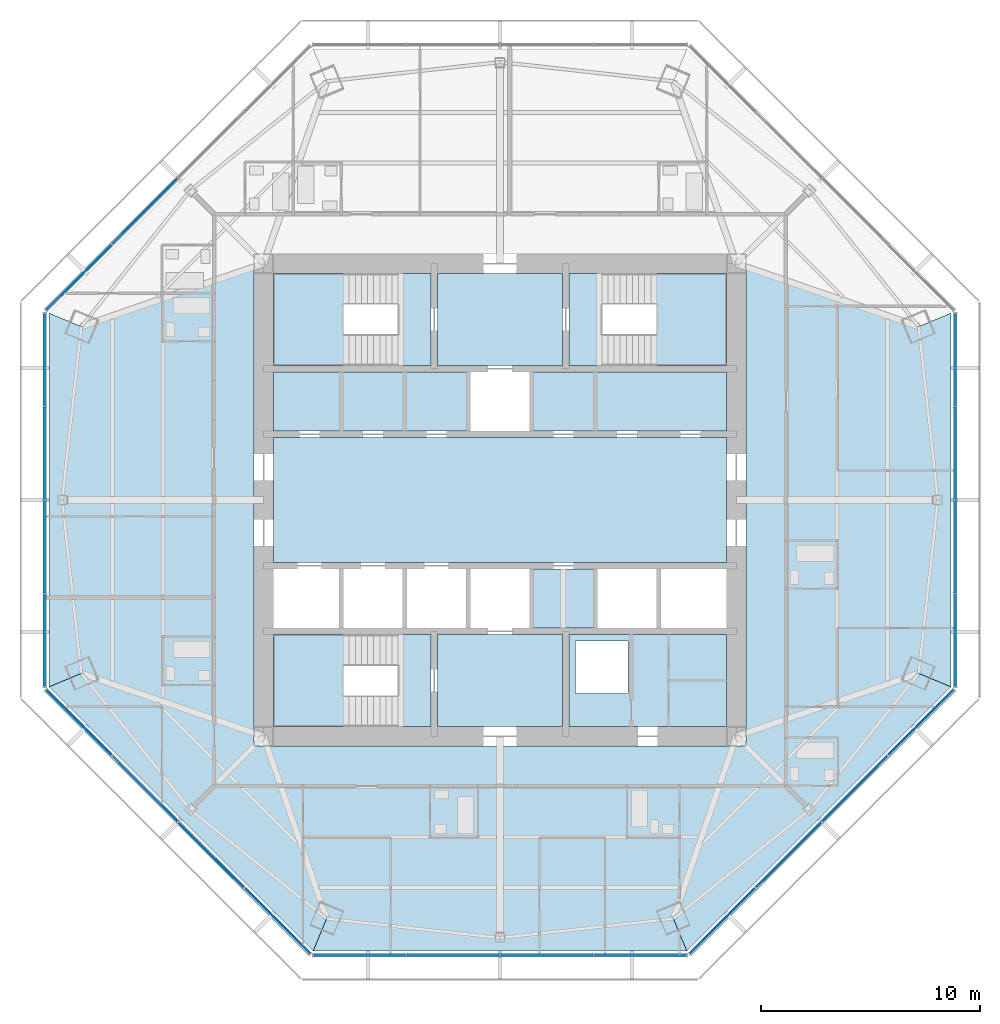
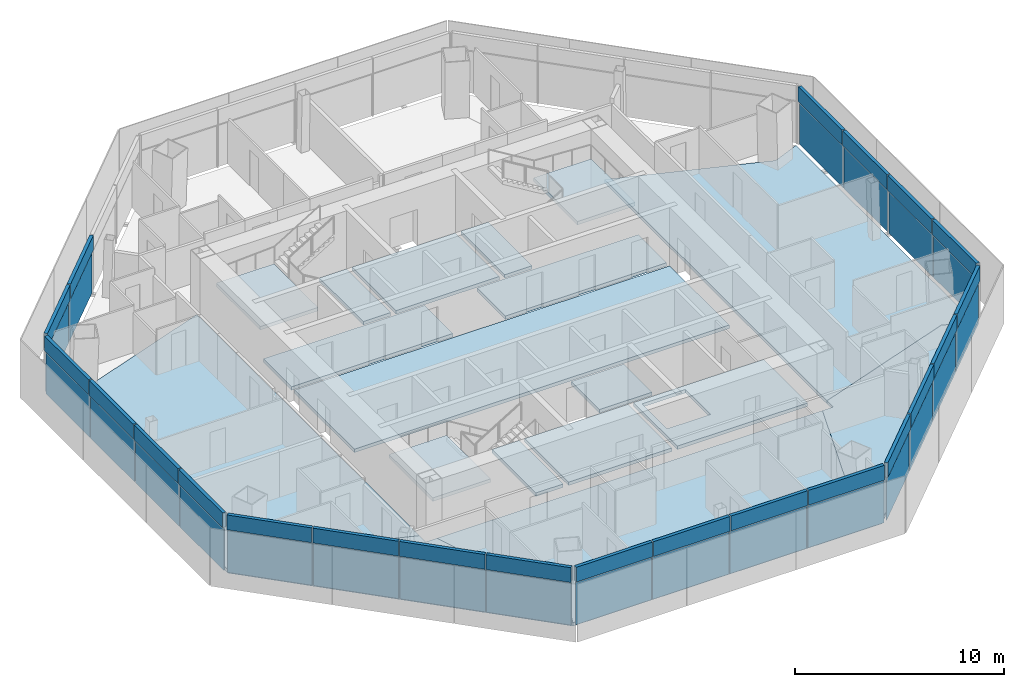
# One storey, part 7 of 14: 44 plates, 18 slabs, 9 elements without a shape of their own.
"""IFC4 building model written with IfcOpenShell, lengths in metres."""

from ifc_helpers import new_model, si_unit, direction, frame, origin, origin_2d, place, context, subcontext, project, spatial, polyline, rectangle, outline, extrude, source, transform, mapped, material, layer, layer_set, type_object, type_shapes, element, aggregate, save


model = new_model("IFC4")

# Units and contexts
model_context = context("Model", 3, precision=1e-05, world=origin(), true_north=direction((0.0, 1.0)))
body_context = subcontext(model_context, "Body", "Model", "MODEL_VIEW")
ifc_project = project(units=[si_unit("LENGTHUNIT", "METRE"), si_unit("AREAUNIT", "SQUARE_METRE"), si_unit("VOLUMEUNIT", "CUBIC_METRE"), si_unit("PLANEANGLEUNIT", "RADIAN"), si_unit("MASSUNIT", "GRAM", prefix="KILO")], contexts=[model_context])

# Site, building, storey
site_placement = place(None, origin())
site = spatial("IfcSite", under=ifc_project, at=site_placement, CompositionType="ELEMENT")
building_placement = place(site_placement, origin())
building = spatial("IfcBuilding", under=site, at=building_placement, Name="Mashrafa Tower", CompositionType="ELEMENT")
storey_placement = place(building_placement, frame((0.0, 0.0, 255.0)))
storey = spatial("IfcBuildingStorey", under=building, at=storey_placement, Name="L61", CompositionType="ELEMENT", Elevation=255.0)

# Slabs
ifc_material_1 = material(Name="Concrete C35/45", Category="concrete")
ifc_layer_1 = layer(ifc_material_1, 0.199951171875)
ifc_layer_set_1 = layer_set([ifc_layer_1], Name="Floor slab 200")
slab_type_1 = type_object("IfcSlabType", Name="Floor slab 200", PredefinedType="FLOOR", material=ifc_layer_set_1)
slab_1_placement = place(storey_placement, frame((0.0, 0.0, -0.199951171875)))
element("IfcSlab", 1, at=slab_1_placement, inside=storey, type_object=slab_type_1, Name="Floor slab L61 east bay", PredefinedType="FLOOR", context=body_context, shape_type="SweptSolid", body=[
    extrude(outline(polyline([(20.60107421875, -8.533203125), (19.128662109375, -7.92333984375), (11.25, -10.64453125), (11.25, 10.64453125), (19.128662109375, 7.92333984375), (20.60107421875, 8.533203125), (20.60107421875, -8.533203125)])), origin(), (0.0, 0.0, 1.0), 0.199951171875),
])
slab_2_placement = place(storey_placement, frame((0.0, 0.0, -0.199951171875)))
element("IfcSlab", 2, at=slab_2_placement, inside=storey, type_object=slab_type_1, Name="Floor slab L61 west bay", PredefinedType="FLOOR", context=body_context, shape_type="SweptSolid", body=[
    extrude(outline(polyline([(-20.60107421875, 8.533203125), (-19.128662109375, 7.92333984375), (-11.25, 10.64453125), (-11.25, -10.64453125), (-19.128662109375, -7.92333984375), (-20.60107421875, -8.533203125), (-20.60107421875, 8.533203125)])), origin(), (0.0, 0.0, 1.0), 0.199951171875),
])
slab_3_placement = place(storey_placement, frame((0.0, 0.0, -0.199951171875)))
element("IfcSlab", 3, at=slab_3_placement, inside=storey, type_object=slab_type_1, Name="Floor slab L61 south-west bay", PredefinedType="FLOOR", context=body_context, shape_type="SweptSolid", body=[
    extrude(outline(polyline([(-8.533203125, -20.60107421875), (-20.60107421875, -8.533203125), (-20.60107421875, -8.533203125), (-19.128662109375, -7.92333984375), (-11.25, -10.64453125), (-11.25, -11.25), (-10.64453125, -11.25), (-7.92333984375, -19.128662109375), (-8.533203125, -20.60107421875), (-8.533203125, -20.60107421875)])), origin(), (0.0, 0.0, 1.0), 0.199951171875),
])
slab_4_placement = place(storey_placement, frame((0.0, 0.0, -0.199951171875)))
element("IfcSlab", 4, at=slab_4_placement, inside=storey, type_object=slab_type_1, Name="Floor slab L61 south bay", PredefinedType="FLOOR", context=body_context, shape_type="SweptSolid", body=[
    extrude(outline(polyline([(-8.533203125, -20.60107421875), (-7.92333984375, -19.128662109375), (-10.64453125, -11.25), (10.64453125, -11.25), (7.92333984375, -19.128662109375), (8.533203125, -20.60107421875), (-8.533203125, -20.60107421875)])), origin(), (0.0, 0.0, 1.0), 0.199951171875),
])
slab_5_placement = place(storey_placement, frame((0.0, 0.0, -0.199951171875)))
element("IfcSlab", 5, at=slab_5_placement, inside=storey, type_object=slab_type_1, Name="Floor slab L61 south-east bay", PredefinedType="FLOOR", context=body_context, shape_type="SweptSolid", body=[
    extrude(outline(polyline([(8.533203125, -20.60107421875), (7.92333984375, -19.128662109375), (10.64453125, -11.25), (11.25, -11.25), (11.25, -10.64453125), (19.128662109375, -7.92333984375), (20.60107421875, -8.533203125), (20.60107421875, -8.533203125), (8.533203125, -20.60107421875), (8.533203125, -20.60107421875)])), origin(), (0.0, 0.0, 1.0), 0.199951171875),
])
slab_6_placement = place(storey_placement, frame((0.0, 0.0, -0.199951171875)))
element("IfcSlab", 6, at=slab_6_placement, inside=storey, type_object=slab_type_1, Name="Core floor lift hall L61", PredefinedType="FLOOR", context=body_context, shape_type="SweptSolid", body=[
    extrude(outline(polyline([(-10.35009765625, 2.85009765625), (10.35009765625, 2.85009765625), (10.35009765625, -2.85009765625), (-10.35009765625, -2.85009765625), (-10.35009765625, 2.85009765625)])), origin(), (0.0, 0.0, 1.0), 0.199951171875),
])
slab_7_placement = place(storey_placement, frame((0.0, 0.0, -0.199951171875)))
element("IfcSlab", 7, at=slab_7_placement, inside=storey, type_object=slab_type_1, Name="Core floor riser and electrical band L61", PredefinedType="FLOOR", context=body_context, shape_type="SweptSolid", body=[
    extrude(outline(polyline([(10.35009765625, -6.14990234375), (10.35009765625, -10.35009765625), (3.14990234375, -10.35009765625), (3.14990234375, -6.14990234375), (10.35009765625, -6.14990234375)]), holes=[polyline([(3.449951171875, -8.85009765625), (5.85009765625, -8.85009765625), (5.85009765625, -6.449951171875), (3.449951171875, -6.449951171875), (3.449951171875, -8.85009765625)])]), origin(), (0.0, 0.0, 1.0), 0.199951171875),
])
slab_8_placement = place(storey_placement, frame((0.0, 0.0, -0.199951171875)))
element("IfcSlab", 8, at=slab_8_placement, inside=storey, type_object=slab_type_1, Name="Core floor lift cell L61", PredefinedType="FLOOR", context=body_context, shape_type="SweptSolid", body=[
    extrude(outline(polyline([(-10.35009765625, 5.85009765625), (-1.449951171875, 5.85009765625), (-1.449951171875, 3.14990234375), (-10.35009765625, 3.14990234375), (-10.35009765625, 5.85009765625)])), origin(), (0.0, 0.0, 1.0), 0.199951171875),
])
slab_9_placement = place(storey_placement, frame((0.0, 0.0, -0.199951171875)))
element("IfcSlab", 9, at=slab_9_placement, inside=storey, type_object=slab_type_1, Name="Core floor lift cell L61", PredefinedType="FLOOR", context=body_context, shape_type="SweptSolid", body=[
    extrude(outline(polyline([(1.449951171875, 5.85009765625), (10.35009765625, 5.85009765625), (10.35009765625, 3.14990234375), (1.449951171875, 3.14990234375), (1.449951171875, 5.85009765625)])), origin(), (0.0, 0.0, 1.0), 0.199951171875),
])
slab_10_placement = place(storey_placement, frame((0.0, 0.0, -0.199951171875)))
element("IfcSlab", 10, at=slab_10_placement, inside=storey, type_object=slab_type_1, Name="Core floor fire-fighting lobby south L61", PredefinedType="FLOOR", context=body_context, shape_type="SweptSolid", body=[
    extrude(outline(polyline([(2.85009765625, -6.14990234375), (2.85009765625, -10.35009765625), (-2.85009765625, -10.35009765625), (-2.85009765625, -6.14990234375), (2.85009765625, -6.14990234375)])), origin(), (0.0, 0.0, 1.0), 0.199951171875),
])
slab_11_placement = place(storey_placement, frame((0.0, 0.0, -0.199951171875)))
element("IfcSlab", 11, at=slab_11_placement, inside=storey, type_object=slab_type_1, Name="Core floor fire-fighting lobby north L61", PredefinedType="FLOOR", context=body_context, shape_type="SweptSolid", body=[
    extrude(outline(polyline([(-2.85009765625, 10.35009765625), (2.85009765625, 10.35009765625), (2.85009765625, 6.14990234375), (-2.85009765625, 6.14990234375), (-2.85009765625, 10.35009765625)])), origin(), (0.0, 0.0, 1.0), 0.199951171875),
])
slab_12_placement = place(storey_placement, frame((0.0, 0.0, -0.199951171875)))
element("IfcSlab", 12, at=slab_12_placement, inside=storey, type_object=slab_type_1, Name="Core floor lift cell L61", PredefinedType="FLOOR", context=body_context, shape_type="SweptSolid", body=[
    extrude(outline(polyline([(4.35009765625, -3.14990234375), (4.35009765625, -5.85009765625), (1.449951171875, -5.85009765625), (1.449951171875, -3.14990234375), (4.35009765625, -3.14990234375)])), origin(), (0.0, 0.0, 1.0), 0.199951171875),
])

# Stair, slabs
ifc_material_2 = material(Name="Exit stair 1400")
stair_type = type_object("IfcStairType", Name="Exit stair 1400", PredefinedType="HALF_TURN_STAIR", material=ifc_material_2)
stair_1_placement = place(storey_placement, origin())
stair_1 = element("IfcStair", 13, at=stair_1_placement, inside=storey, type_object=stair_type, Name="Stair S1 L61", PredefinedType="HALF_TURN_STAIR")
ifc_material_3 = material(Name="Concrete C32/40", Category="concrete")
ifc_layer_2 = layer(ifc_material_3, 0.199951171875)
ifc_layer_set_2 = layer_set([ifc_layer_2], Name="Stair landing 200")
slab_type_2 = type_object("IfcSlabType", Name="Stair landing 200", PredefinedType="LANDING", material=ifc_layer_set_2)
slab_13_placement = place(storey_placement, frame((0.0, 0.0, -0.199951171875)))
slab_13 = element("IfcSlab", 14, at=slab_13_placement, type_object=slab_type_2, Name="S1 landing 1", PredefinedType="LANDING", context=body_context, shape_type="SweptSolid", body=[
    extrude(outline(polyline([(-4.659912109375, 6.14990234375), (-3.14990234375, 6.14990234375), (-3.14990234375, 10.35009765625), (-4.659912109375, 10.35009765625), (-4.659912109375, 6.14990234375)])), origin(), (0.0, 0.0, 1.0), 0.199951171875),
])
slab_14_placement = place(storey_placement, frame((0.0, 0.0, 1.5)))
slab_14 = element("IfcSlab", 15, at=slab_14_placement, type_object=slab_type_2, Name="S1 landing 2", PredefinedType="LANDING", context=body_context, shape_type="SweptSolid", body=[
    extrude(outline(polyline([(-10.35009765625, 6.14990234375), (-7.159912109375, 6.14990234375), (-7.159912109375, 10.35009765625), (-10.35009765625, 10.35009765625), (-10.35009765625, 6.14990234375)])), origin(), (0.0, 0.0, 1.0), 0.199951171875),
])
aggregate(stair_1, [slab_13, slab_14])

stair_2_placement = place(storey_placement, origin())
stair_2 = element("IfcStair", 16, at=stair_2_placement, inside=storey, type_object=stair_type, Name="Stair S2 L61", PredefinedType="HALF_TURN_STAIR")
slab_15_placement = place(storey_placement, frame((0.0, 0.0, -0.199951171875)))
slab_15 = element("IfcSlab", 17, at=slab_15_placement, type_object=slab_type_2, Name="S2 landing 1", PredefinedType="LANDING", context=body_context, shape_type="SweptSolid", body=[
    extrude(outline(polyline([(3.14990234375, 6.14990234375), (4.659912109375, 6.14990234375), (4.659912109375, 10.35009765625), (3.14990234375, 10.35009765625), (3.14990234375, 6.14990234375)])), origin(), (0.0, 0.0, 1.0), 0.199951171875),
])
slab_16_placement = place(storey_placement, frame((0.0, 0.0, 1.5)))
slab_16 = element("IfcSlab", 18, at=slab_16_placement, type_object=slab_type_2, Name="S2 landing 2", PredefinedType="LANDING", context=body_context, shape_type="SweptSolid", body=[
    extrude(outline(polyline([(7.159912109375, 6.14990234375), (10.35009765625, 6.14990234375), (10.35009765625, 10.35009765625), (7.159912109375, 10.35009765625), (7.159912109375, 6.14990234375)])), origin(), (0.0, 0.0, 1.0), 0.199951171875),
])
aggregate(stair_2, [slab_15, slab_16])

stair_3_placement = place(storey_placement, origin())
stair_3 = element("IfcStair", 19, at=stair_3_placement, inside=storey, type_object=stair_type, Name="Stair S3 L61", PredefinedType="HALF_TURN_STAIR")
slab_17_placement = place(storey_placement, frame((0.0, 0.0, -0.199951171875)))
slab_17 = element("IfcSlab", 20, at=slab_17_placement, type_object=slab_type_2, Name="S3 landing 1", PredefinedType="LANDING", context=body_context, shape_type="SweptSolid", body=[
    extrude(outline(polyline([(-4.659912109375, -10.35009765625), (-3.14990234375, -10.35009765625), (-3.14990234375, -6.14990234375), (-4.659912109375, -6.14990234375), (-4.659912109375, -10.35009765625)])), origin(), (0.0, 0.0, 1.0), 0.199951171875),
])
slab_18_placement = place(storey_placement, frame((0.0, 0.0, 1.5)))
slab_18 = element("IfcSlab", 21, at=slab_18_placement, type_object=slab_type_2, Name="S3 landing 2", PredefinedType="LANDING", context=body_context, shape_type="SweptSolid", body=[
    extrude(outline(polyline([(-10.35009765625, -10.35009765625), (-7.159912109375, -10.35009765625), (-7.159912109375, -6.14990234375), (-10.35009765625, -6.14990234375), (-10.35009765625, -10.35009765625)])), origin(), (0.0, 0.0, 1.0), 0.199951171875),
])
aggregate(stair_3, [slab_17, slab_18])

# Curtain wall, plates
ifc_material_4 = material(Name="Unitised aluminium curtain wall", Category="aluminium")
curtain_wall_type = type_object("IfcCurtainWallType", Name="Apartment curtain wall, zone 3 CW-C 180 deep", PredefinedType="NOTDEFINED", material=ifc_material_4)
curtain_wall_1_placement = place(storey_placement, origin())
curtain_wall_1 = element("IfcCurtainWall", 22, at=curtain_wall_1_placement, inside=storey, type_object=curtain_wall_type, Name="Apartment curtain wall, zone 3 L61 east", PredefinedType="NOTDEFINED")
ifc_material_5 = material(Name="Insulated double glazing, acoustic", Category="glass")
ifc_layer_3 = layer(ifc_material_5, 0.028076171875)
ifc_layer_set_3 = layer_set([ifc_layer_3], Name="Vision panel CW-C 28")
plate_type_1 = type_object("IfcPlateType", Name="Vision panel CW-C 28", PredefinedType="CURTAIN_PANEL", material=ifc_layer_set_3)
shared_shape_1 = source(origin(), body_context, "Body", "SweptSolid", [
    extrude(rectangle(XDim=4.1943359375, YDim=0.028076171875, at=origin_2d()), origin(), (0.0, 0.0, 1.0), 2.46240234375),
])
plate_1_placement = place(storey_placement, frame((20.801025390625, -6.41162109375, 0.0), z_axis=(0.0, 0.0, 1.0), x_axis=(0.0, 1.0, 0.0)))
plate_1 = element("IfcPlate", 23, at=plate_1_placement, type_object=plate_type_1, Name="CW-C vision panel 1", PredefinedType="CURTAIN_PANEL", context=body_context, shape_type="MappedRepresentation", body=[
    mapped(shared_shape_1, transform((0.0, 0.0, 0.0))),
])
plate_2_placement = place(storey_placement, frame((20.801025390625, 6.41162109375, 0.0), z_axis=(0.0, 0.0, 1.0), x_axis=(0.0, 1.0, 0.0)))
plate_2 = element("IfcPlate", 24, at=plate_2_placement, type_object=plate_type_1, Name="CW-C vision panel 4", PredefinedType="CURTAIN_PANEL", context=body_context, shape_type="MappedRepresentation", body=[
    mapped(shared_shape_1, transform((0.0, 0.0, 0.0))),
])

# Curtain wall, plate
curtain_wall_2_placement = place(storey_placement, origin())
curtain_wall_2 = element("IfcCurtainWall", 25, at=curtain_wall_2_placement, inside=storey, type_object=curtain_wall_type, Name="Apartment curtain wall, zone 3 L61 north-west", PredefinedType="NOTDEFINED")
plate_3_placement = place(storey_placement, frame((-19.242431640625, 10.1748046875, 0.0), z_axis=(0.0, 0.0, 1.0), x_axis=(-0.707106781187, -0.707106781187, 0.0)))
plate_3 = element("IfcPlate", 26, at=plate_3_placement, type_object=plate_type_1, Name="CW-C vision panel 4", PredefinedType="CURTAIN_PANEL", context=body_context, shape_type="MappedRepresentation", body=[
    mapped(shared_shape_1, transform((0.0, 0.0, 0.0))),
])

# Curtain wall, plates
curtain_wall_3_placement = place(storey_placement, origin())
curtain_wall_3 = element("IfcCurtainWall", 27, at=curtain_wall_3_placement, inside=storey, type_object=curtain_wall_type, Name="Apartment curtain wall, zone 3 L61 west", PredefinedType="NOTDEFINED")
plate_4_placement = place(storey_placement, frame((-20.801025390625, 6.41162109375, 0.0), z_axis=(0.0, 0.0, 1.0), x_axis=(0.0, -1.0, 0.0)))
plate_4 = element("IfcPlate", 28, at=plate_4_placement, type_object=plate_type_1, Name="CW-C vision panel 1", PredefinedType="CURTAIN_PANEL", context=body_context, shape_type="MappedRepresentation", body=[
    mapped(shared_shape_1, transform((0.0, 0.0, 0.0))),
])
plate_5_placement = place(storey_placement, frame((-20.801025390625, -6.41162109375, 0.0), z_axis=(0.0, 0.0, 1.0), x_axis=(0.0, -1.0, 0.0)))
plate_5 = element("IfcPlate", 29, at=plate_5_placement, type_object=plate_type_1, Name="CW-C vision panel 4", PredefinedType="CURTAIN_PANEL", context=body_context, shape_type="MappedRepresentation", body=[
    mapped(shared_shape_1, transform((0.0, 0.0, 0.0))),
])

curtain_wall_4_placement = place(storey_placement, origin())
curtain_wall_4 = element("IfcCurtainWall", 30, at=curtain_wall_4_placement, inside=storey, type_object=curtain_wall_type, Name="Apartment curtain wall, zone 3 L61 south-west", PredefinedType="NOTDEFINED")
plate_6_placement = place(storey_placement, frame((-19.242431640625, -10.1748046875, 0.0), z_axis=(0.0, 0.0, 1.0), x_axis=(0.707106781187, -0.707106781187, 0.0)))
plate_6 = element("IfcPlate", 31, at=plate_6_placement, type_object=plate_type_1, Name="CW-C vision panel 1", PredefinedType="CURTAIN_PANEL", context=body_context, shape_type="MappedRepresentation", body=[
    mapped(shared_shape_1, transform((0.0, 0.0, 0.0))),
])
plate_7_placement = place(storey_placement, frame((-10.1748046875, -19.242431640625, 0.0), z_axis=(0.0, 0.0, 1.0), x_axis=(0.707106781187, -0.707106781187, 0.0)))
plate_7 = element("IfcPlate", 32, at=plate_7_placement, type_object=plate_type_1, Name="CW-C vision panel 4", PredefinedType="CURTAIN_PANEL", context=body_context, shape_type="MappedRepresentation", body=[
    mapped(shared_shape_1, transform((0.0, 0.0, 0.0))),
])

curtain_wall_5_placement = place(storey_placement, origin())
curtain_wall_5 = element("IfcCurtainWall", 33, at=curtain_wall_5_placement, inside=storey, type_object=curtain_wall_type, Name="Apartment curtain wall, zone 3 L61 south", PredefinedType="NOTDEFINED")
plate_8_placement = place(storey_placement, frame((-6.41162109375, -20.801025390625, 0.0), z_axis=(0.0, 0.0, 1.0), x_axis=(1.0, 0.0, 0.0)))
plate_8 = element("IfcPlate", 34, at=plate_8_placement, type_object=plate_type_1, Name="CW-C vision panel 1", PredefinedType="CURTAIN_PANEL", context=body_context, shape_type="MappedRepresentation", body=[
    mapped(shared_shape_1, transform((0.0, 0.0, 0.0))),
])
plate_9_placement = place(storey_placement, frame((6.41162109375, -20.801025390625, 0.0), z_axis=(0.0, 0.0, 1.0), x_axis=(1.0, 0.0, 0.0)))
plate_9 = element("IfcPlate", 35, at=plate_9_placement, type_object=plate_type_1, Name="CW-C vision panel 4", PredefinedType="CURTAIN_PANEL", context=body_context, shape_type="MappedRepresentation", body=[
    mapped(shared_shape_1, transform((0.0, 0.0, 0.0))),
])

curtain_wall_6_placement = place(storey_placement, origin())
curtain_wall_6 = element("IfcCurtainWall", 36, at=curtain_wall_6_placement, inside=storey, type_object=curtain_wall_type, Name="Apartment curtain wall, zone 3 L61 south-east", PredefinedType="NOTDEFINED")
plate_10_placement = place(storey_placement, frame((10.1748046875, -19.242431640625, 0.0), z_axis=(0.0, 0.0, 1.0), x_axis=(0.707106781187, 0.707106781187, 0.0)))
plate_10 = element("IfcPlate", 37, at=plate_10_placement, type_object=plate_type_1, Name="CW-C vision panel 1", PredefinedType="CURTAIN_PANEL", context=body_context, shape_type="MappedRepresentation", body=[
    mapped(shared_shape_1, transform((0.0, 0.0, 0.0))),
])
plate_11_placement = place(storey_placement, frame((19.242431640625, -10.1748046875, 0.0), z_axis=(0.0, 0.0, 1.0), x_axis=(0.707106781187, 0.707106781187, 0.0)))
plate_11 = element("IfcPlate", 38, at=plate_11_placement, type_object=plate_type_1, Name="CW-C vision panel 4", PredefinedType="CURTAIN_PANEL", context=body_context, shape_type="MappedRepresentation", body=[
    mapped(shared_shape_1, transform((0.0, 0.0, 0.0))),
])

# Plate
ifc_material_6 = material(Name="Insulated bronze aluminium spandrel panel", Category="aluminium")
ifc_layer_4 = layer(ifc_material_6, 0.179931640625)
ifc_layer_set_4 = layer_set([ifc_layer_4], Name="Spandrel panel CW-C 180")
plate_type_2 = type_object("IfcPlateType", Name="Spandrel panel CW-C 180", PredefinedType="CURTAIN_PANEL", material=ifc_layer_set_4)
shared_shape_2 = source(origin(), body_context, "Body", "SweptSolid", [
    extrude(rectangle(XDim=4.1943359375, YDim=0.179931640625, at=origin_2d()), origin(), (0.0, 0.0, 1.0), 0.862548828125),
])
plate_12_placement = place(storey_placement, frame((20.801025390625, -6.41162109375, 2.53759765625), z_axis=(0.0, 0.0, 1.0), x_axis=(0.0, 1.0, 0.0)))
plate_12 = element("IfcPlate", 39, at=plate_12_placement, type_object=plate_type_2, Name="CW-C spandrel panel 1", PredefinedType="CURTAIN_PANEL", context=body_context, shape_type="MappedRepresentation", body=[
    mapped(shared_shape_2, transform((0.0, 0.0, 0.0))),
])

plate_13_placement = place(storey_placement, frame((20.801025390625, 6.41162109375, 2.53759765625), z_axis=(0.0, 0.0, 1.0), x_axis=(0.0, 1.0, 0.0)))
plate_13 = element("IfcPlate", 40, at=plate_13_placement, type_object=plate_type_2, Name="CW-C spandrel panel 4", PredefinedType="CURTAIN_PANEL", context=body_context, shape_type="MappedRepresentation", body=[
    mapped(shared_shape_2, transform((0.0, 0.0, 0.0))),
])

plate_14_placement = place(storey_placement, frame((-19.242431640625, 10.1748046875, 2.53759765625), z_axis=(0.0, 0.0, 1.0), x_axis=(-0.707106781187, -0.707106781187, 0.0)))
plate_14 = element("IfcPlate", 41, at=plate_14_placement, type_object=plate_type_2, Name="CW-C spandrel panel 4", PredefinedType="CURTAIN_PANEL", context=body_context, shape_type="MappedRepresentation", body=[
    mapped(shared_shape_2, transform((0.0, 0.0, 0.0))),
])

plate_15_placement = place(storey_placement, frame((-20.801025390625, 6.41162109375, 2.53759765625), z_axis=(0.0, 0.0, 1.0), x_axis=(0.0, -1.0, 0.0)))
plate_15 = element("IfcPlate", 42, at=plate_15_placement, type_object=plate_type_2, Name="CW-C spandrel panel 1", PredefinedType="CURTAIN_PANEL", context=body_context, shape_type="MappedRepresentation", body=[
    mapped(shared_shape_2, transform((0.0, 0.0, 0.0))),
])

plate_16_placement = place(storey_placement, frame((-20.801025390625, -6.41162109375, 2.53759765625), z_axis=(0.0, 0.0, 1.0), x_axis=(0.0, -1.0, 0.0)))
plate_16 = element("IfcPlate", 43, at=plate_16_placement, type_object=plate_type_2, Name="CW-C spandrel panel 4", PredefinedType="CURTAIN_PANEL", context=body_context, shape_type="MappedRepresentation", body=[
    mapped(shared_shape_2, transform((0.0, 0.0, 0.0))),
])

plate_17_placement = place(storey_placement, frame((-19.242431640625, -10.1748046875, 2.53759765625), z_axis=(0.0, 0.0, 1.0), x_axis=(0.707106781187, -0.707106781187, 0.0)))
plate_17 = element("IfcPlate", 44, at=plate_17_placement, type_object=plate_type_2, Name="CW-C spandrel panel 1", PredefinedType="CURTAIN_PANEL", context=body_context, shape_type="MappedRepresentation", body=[
    mapped(shared_shape_2, transform((0.0, 0.0, 0.0))),
])

plate_18_placement = place(storey_placement, frame((-10.1748046875, -19.242431640625, 2.53759765625), z_axis=(0.0, 0.0, 1.0), x_axis=(0.707106781187, -0.707106781187, 0.0)))
plate_18 = element("IfcPlate", 45, at=plate_18_placement, type_object=plate_type_2, Name="CW-C spandrel panel 4", PredefinedType="CURTAIN_PANEL", context=body_context, shape_type="MappedRepresentation", body=[
    mapped(shared_shape_2, transform((0.0, 0.0, 0.0))),
])

plate_19_placement = place(storey_placement, frame((-6.41162109375, -20.801025390625, 2.53759765625), z_axis=(0.0, 0.0, 1.0), x_axis=(1.0, 0.0, 0.0)))
plate_19 = element("IfcPlate", 46, at=plate_19_placement, type_object=plate_type_2, Name="CW-C spandrel panel 1", PredefinedType="CURTAIN_PANEL", context=body_context, shape_type="MappedRepresentation", body=[
    mapped(shared_shape_2, transform((0.0, 0.0, 0.0))),
])

plate_20_placement = place(storey_placement, frame((6.41162109375, -20.801025390625, 2.53759765625), z_axis=(0.0, 0.0, 1.0), x_axis=(1.0, 0.0, 0.0)))
plate_20 = element("IfcPlate", 47, at=plate_20_placement, type_object=plate_type_2, Name="CW-C spandrel panel 4", PredefinedType="CURTAIN_PANEL", context=body_context, shape_type="MappedRepresentation", body=[
    mapped(shared_shape_2, transform((0.0, 0.0, 0.0))),
])

plate_21_placement = place(storey_placement, frame((10.1748046875, -19.242431640625, 2.53759765625), z_axis=(0.0, 0.0, 1.0), x_axis=(0.707106781187, 0.707106781187, 0.0)))
plate_21 = element("IfcPlate", 48, at=plate_21_placement, type_object=plate_type_2, Name="CW-C spandrel panel 1", PredefinedType="CURTAIN_PANEL", context=body_context, shape_type="MappedRepresentation", body=[
    mapped(shared_shape_2, transform((0.0, 0.0, 0.0))),
])

plate_22_placement = place(storey_placement, frame((19.242431640625, -10.1748046875, 2.53759765625), z_axis=(0.0, 0.0, 1.0), x_axis=(0.707106781187, 0.707106781187, 0.0)))
plate_22 = element("IfcPlate", 49, at=plate_22_placement, type_object=plate_type_2, Name="CW-C spandrel panel 4", PredefinedType="CURTAIN_PANEL", context=body_context, shape_type="MappedRepresentation", body=[
    mapped(shared_shape_2, transform((0.0, 0.0, 0.0))),
])

shared_shape_3 = source(origin(), body_context, "Body", "SweptSolid", [
    extrude(rectangle(XDim=4.224365234375, YDim=0.028076171875, at=origin_2d()), origin(), (0.0, 0.0, 1.0), 2.46240234375),
])
type_shapes(plate_type_1, [shared_shape_1, shared_shape_3])
plate_23_placement = place(storey_placement, frame((20.801025390625, -2.14208984375, 0.0), z_axis=(0.0, 0.0, 1.0), x_axis=(0.0, 1.0, 0.0)))
plate_23 = element("IfcPlate", 50, at=plate_23_placement, type_object=plate_type_1, Name="CW-C vision panel 2", PredefinedType="CURTAIN_PANEL", context=body_context, shape_type="MappedRepresentation", body=[
    mapped(shared_shape_3, transform((0.0, 0.0, 0.0))),
])

plate_24_placement = place(storey_placement, frame((20.801025390625, 2.14208984375, 0.0), z_axis=(0.0, 0.0, 1.0), x_axis=(0.0, 1.0, 0.0)))
plate_24 = element("IfcPlate", 51, at=plate_24_placement, type_object=plate_type_1, Name="CW-C vision panel 3", PredefinedType="CURTAIN_PANEL", context=body_context, shape_type="MappedRepresentation", body=[
    mapped(shared_shape_3, transform((0.0, 0.0, 0.0))),
])

plate_25_placement = place(storey_placement, frame((-16.223388671875, 13.19384765625, 0.0), z_axis=(0.0, 0.0, 1.0), x_axis=(-0.707106781187, -0.707106781187, 0.0)))
plate_25 = element("IfcPlate", 52, at=plate_25_placement, type_object=plate_type_1, Name="CW-C vision panel 3", PredefinedType="CURTAIN_PANEL", context=body_context, shape_type="MappedRepresentation", body=[
    mapped(shared_shape_3, transform((0.0, 0.0, 0.0))),
])

plate_26_placement = place(storey_placement, frame((-20.801025390625, 2.14208984375, 0.0), z_axis=(0.0, 0.0, 1.0), x_axis=(0.0, -1.0, 0.0)))
plate_26 = element("IfcPlate", 53, at=plate_26_placement, type_object=plate_type_1, Name="CW-C vision panel 2", PredefinedType="CURTAIN_PANEL", context=body_context, shape_type="MappedRepresentation", body=[
    mapped(shared_shape_3, transform((0.0, 0.0, 0.0))),
])

plate_27_placement = place(storey_placement, frame((-20.801025390625, -2.14208984375, 0.0), z_axis=(0.0, 0.0, 1.0), x_axis=(0.0, -1.0, 0.0)))
plate_27 = element("IfcPlate", 54, at=plate_27_placement, type_object=plate_type_1, Name="CW-C vision panel 3", PredefinedType="CURTAIN_PANEL", context=body_context, shape_type="MappedRepresentation", body=[
    mapped(shared_shape_3, transform((0.0, 0.0, 0.0))),
])

plate_28_placement = place(storey_placement, frame((-16.223388671875, -13.19384765625, 0.0), z_axis=(0.0, 0.0, 1.0), x_axis=(0.707106781187, -0.707106781187, 0.0)))
plate_28 = element("IfcPlate", 55, at=plate_28_placement, type_object=plate_type_1, Name="CW-C vision panel 2", PredefinedType="CURTAIN_PANEL", context=body_context, shape_type="MappedRepresentation", body=[
    mapped(shared_shape_3, transform((0.0, 0.0, 0.0))),
])

plate_29_placement = place(storey_placement, frame((-13.19384765625, -16.223388671875, 0.0), z_axis=(0.0, 0.0, 1.0), x_axis=(0.707106781187, -0.707106781187, 0.0)))
plate_29 = element("IfcPlate", 56, at=plate_29_placement, type_object=plate_type_1, Name="CW-C vision panel 3", PredefinedType="CURTAIN_PANEL", context=body_context, shape_type="MappedRepresentation", body=[
    mapped(shared_shape_3, transform((0.0, 0.0, 0.0))),
])

plate_30_placement = place(storey_placement, frame((-2.14208984375, -20.801025390625, 0.0), z_axis=(0.0, 0.0, 1.0), x_axis=(1.0, 0.0, 0.0)))
plate_30 = element("IfcPlate", 57, at=plate_30_placement, type_object=plate_type_1, Name="CW-C vision panel 2", PredefinedType="CURTAIN_PANEL", context=body_context, shape_type="MappedRepresentation", body=[
    mapped(shared_shape_3, transform((0.0, 0.0, 0.0))),
])

plate_31_placement = place(storey_placement, frame((2.14208984375, -20.801025390625, 0.0), z_axis=(0.0, 0.0, 1.0), x_axis=(1.0, 0.0, 0.0)))
plate_31 = element("IfcPlate", 58, at=plate_31_placement, type_object=plate_type_1, Name="CW-C vision panel 3", PredefinedType="CURTAIN_PANEL", context=body_context, shape_type="MappedRepresentation", body=[
    mapped(shared_shape_3, transform((0.0, 0.0, 0.0))),
])

plate_32_placement = place(storey_placement, frame((13.19384765625, -16.223388671875, 0.0), z_axis=(0.0, 0.0, 1.0), x_axis=(0.707106781187, 0.707106781187, 0.0)))
plate_32 = element("IfcPlate", 59, at=plate_32_placement, type_object=plate_type_1, Name="CW-C vision panel 2", PredefinedType="CURTAIN_PANEL", context=body_context, shape_type="MappedRepresentation", body=[
    mapped(shared_shape_3, transform((0.0, 0.0, 0.0))),
])

plate_33_placement = place(storey_placement, frame((16.223388671875, -13.19384765625, 0.0), z_axis=(0.0, 0.0, 1.0), x_axis=(0.707106781187, 0.707106781187, 0.0)))
plate_33 = element("IfcPlate", 60, at=plate_33_placement, type_object=plate_type_1, Name="CW-C vision panel 3", PredefinedType="CURTAIN_PANEL", context=body_context, shape_type="MappedRepresentation", body=[
    mapped(shared_shape_3, transform((0.0, 0.0, 0.0))),
])

shared_shape_4 = source(origin(), body_context, "Body", "SweptSolid", [
    extrude(rectangle(XDim=4.224365234375, YDim=0.179931640625, at=origin_2d()), origin(), (0.0, 0.0, 1.0), 0.862548828125),
])
type_shapes(plate_type_2, [shared_shape_2, shared_shape_4])
plate_34_placement = place(storey_placement, frame((20.801025390625, -2.14208984375, 2.53759765625), z_axis=(0.0, 0.0, 1.0), x_axis=(0.0, 1.0, 0.0)))
plate_34 = element("IfcPlate", 61, at=plate_34_placement, type_object=plate_type_2, Name="CW-C spandrel panel 2", PredefinedType="CURTAIN_PANEL", context=body_context, shape_type="MappedRepresentation", body=[
    mapped(shared_shape_4, transform((0.0, 0.0, 0.0))),
])

plate_35_placement = place(storey_placement, frame((20.801025390625, 2.14208984375, 2.53759765625), z_axis=(0.0, 0.0, 1.0), x_axis=(0.0, 1.0, 0.0)))
plate_35 = element("IfcPlate", 62, at=plate_35_placement, type_object=plate_type_2, Name="CW-C spandrel panel 3", PredefinedType="CURTAIN_PANEL", context=body_context, shape_type="MappedRepresentation", body=[
    mapped(shared_shape_4, transform((0.0, 0.0, 0.0))),
])

aggregate(curtain_wall_1, [plate_1, plate_12, plate_23, plate_34, plate_24, plate_35, plate_2, plate_13])

plate_36_placement = place(storey_placement, frame((-16.223388671875, 13.19384765625, 2.53759765625), z_axis=(0.0, 0.0, 1.0), x_axis=(-0.707106781187, -0.707106781187, 0.0)))
plate_36 = element("IfcPlate", 63, at=plate_36_placement, type_object=plate_type_2, Name="CW-C spandrel panel 3", PredefinedType="CURTAIN_PANEL", context=body_context, shape_type="MappedRepresentation", body=[
    mapped(shared_shape_4, transform((0.0, 0.0, 0.0))),
])

aggregate(curtain_wall_2, [plate_25, plate_36, plate_3, plate_14])

plate_37_placement = place(storey_placement, frame((-20.801025390625, 2.14208984375, 2.53759765625), z_axis=(0.0, 0.0, 1.0), x_axis=(0.0, -1.0, 0.0)))
plate_37 = element("IfcPlate", 64, at=plate_37_placement, type_object=plate_type_2, Name="CW-C spandrel panel 2", PredefinedType="CURTAIN_PANEL", context=body_context, shape_type="MappedRepresentation", body=[
    mapped(shared_shape_4, transform((0.0, 0.0, 0.0))),
])

plate_38_placement = place(storey_placement, frame((-20.801025390625, -2.14208984375, 2.53759765625), z_axis=(0.0, 0.0, 1.0), x_axis=(0.0, -1.0, 0.0)))
plate_38 = element("IfcPlate", 65, at=plate_38_placement, type_object=plate_type_2, Name="CW-C spandrel panel 3", PredefinedType="CURTAIN_PANEL", context=body_context, shape_type="MappedRepresentation", body=[
    mapped(shared_shape_4, transform((0.0, 0.0, 0.0))),
])

aggregate(curtain_wall_3, [plate_4, plate_15, plate_26, plate_37, plate_27, plate_38, plate_5, plate_16])

plate_39_placement = place(storey_placement, frame((-16.223388671875, -13.19384765625, 2.53759765625), z_axis=(0.0, 0.0, 1.0), x_axis=(0.707106781187, -0.707106781187, 0.0)))
plate_39 = element("IfcPlate", 66, at=plate_39_placement, type_object=plate_type_2, Name="CW-C spandrel panel 2", PredefinedType="CURTAIN_PANEL", context=body_context, shape_type="MappedRepresentation", body=[
    mapped(shared_shape_4, transform((0.0, 0.0, 0.0))),
])

plate_40_placement = place(storey_placement, frame((-13.19384765625, -16.223388671875, 2.53759765625), z_axis=(0.0, 0.0, 1.0), x_axis=(0.707106781187, -0.707106781187, 0.0)))
plate_40 = element("IfcPlate", 67, at=plate_40_placement, type_object=plate_type_2, Name="CW-C spandrel panel 3", PredefinedType="CURTAIN_PANEL", context=body_context, shape_type="MappedRepresentation", body=[
    mapped(shared_shape_4, transform((0.0, 0.0, 0.0))),
])

aggregate(curtain_wall_4, [plate_6, plate_17, plate_28, plate_39, plate_29, plate_40, plate_7, plate_18])

plate_41_placement = place(storey_placement, frame((-2.14208984375, -20.801025390625, 2.53759765625), z_axis=(0.0, 0.0, 1.0), x_axis=(1.0, 0.0, 0.0)))
plate_41 = element("IfcPlate", 68, at=plate_41_placement, type_object=plate_type_2, Name="CW-C spandrel panel 2", PredefinedType="CURTAIN_PANEL", context=body_context, shape_type="MappedRepresentation", body=[
    mapped(shared_shape_4, transform((0.0, 0.0, 0.0))),
])

plate_42_placement = place(storey_placement, frame((2.14208984375, -20.801025390625, 2.53759765625), z_axis=(0.0, 0.0, 1.0), x_axis=(1.0, 0.0, 0.0)))
plate_42 = element("IfcPlate", 69, at=plate_42_placement, type_object=plate_type_2, Name="CW-C spandrel panel 3", PredefinedType="CURTAIN_PANEL", context=body_context, shape_type="MappedRepresentation", body=[
    mapped(shared_shape_4, transform((0.0, 0.0, 0.0))),
])

aggregate(curtain_wall_5, [plate_8, plate_19, plate_30, plate_41, plate_31, plate_42, plate_9, plate_20])

plate_43_placement = place(storey_placement, frame((13.19384765625, -16.223388671875, 2.53759765625), z_axis=(0.0, 0.0, 1.0), x_axis=(0.707106781187, 0.707106781187, 0.0)))
plate_43 = element("IfcPlate", 70, at=plate_43_placement, type_object=plate_type_2, Name="CW-C spandrel panel 2", PredefinedType="CURTAIN_PANEL", context=body_context, shape_type="MappedRepresentation", body=[
    mapped(shared_shape_4, transform((0.0, 0.0, 0.0))),
])

plate_44_placement = place(storey_placement, frame((16.223388671875, -13.19384765625, 2.53759765625), z_axis=(0.0, 0.0, 1.0), x_axis=(0.707106781187, 0.707106781187, 0.0)))
plate_44 = element("IfcPlate", 71, at=plate_44_placement, type_object=plate_type_2, Name="CW-C spandrel panel 3", PredefinedType="CURTAIN_PANEL", context=body_context, shape_type="MappedRepresentation", body=[
    mapped(shared_shape_4, transform((0.0, 0.0, 0.0))),
])

aggregate(curtain_wall_6, [plate_10, plate_21, plate_32, plate_43, plate_33, plate_44, plate_11, plate_22])

save(model, "model.ifc")
